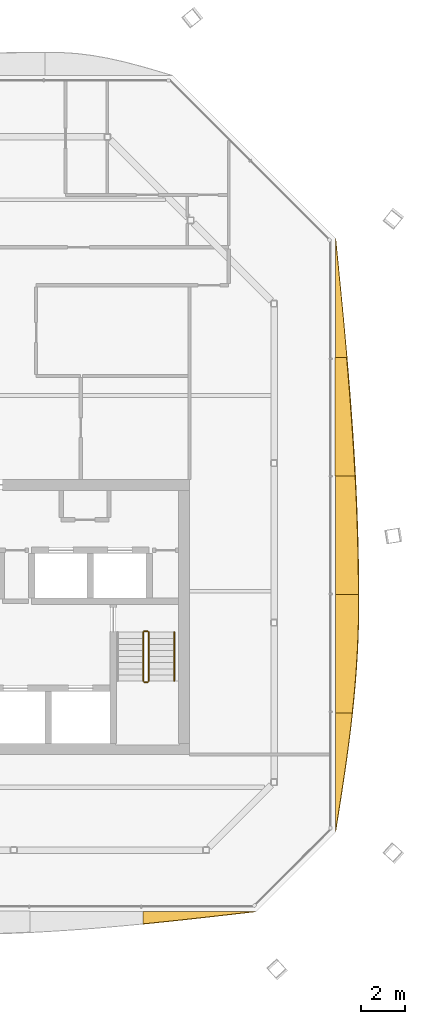
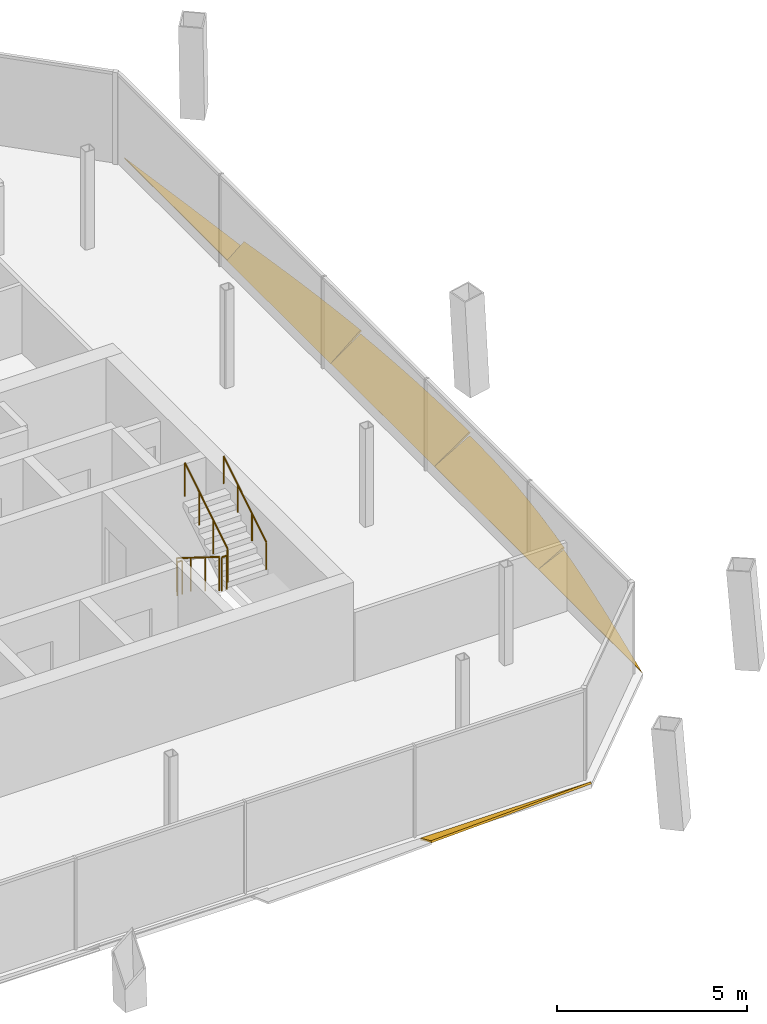
# One storey, part 17 of 18: 6 shading devices, 5 railings.
"""IFC4 building model written with IfcOpenShell, lengths in metres."""

from ifc_helpers import new_model, si_unit, direction, frame, origin, origin_2d, place, context, subcontext, project, spatial, polyline, circle, outline, extrude, material, layer, layer_set, type_object, element, save


model = new_model("IFC4")

# Units and contexts
model_context = context("Model", 3, precision=1e-05, world=origin(), true_north=direction((0.0, 1.0)))
body_context = subcontext(model_context, "Body", "Model", "MODEL_VIEW")
ifc_project = project(units=[si_unit("LENGTHUNIT", "METRE"), si_unit("AREAUNIT", "SQUARE_METRE"), si_unit("VOLUMEUNIT", "CUBIC_METRE"), si_unit("PLANEANGLEUNIT", "RADIAN"), si_unit("MASSUNIT", "GRAM", prefix="KILO")], contexts=[model_context])

# Site, building, storey
site_placement = place(None, origin())
site = spatial("IfcSite", under=ifc_project, at=site_placement, CompositionType="ELEMENT")
building_placement = place(site_placement, origin())
building = spatial("IfcBuilding", under=site, at=building_placement, Name="Tskaro Facet Tower", CompositionType="ELEMENT")
storey_placement = place(building_placement, frame((0.0, 0.0, 220.35009765625)))
storey = spatial("IfcBuildingStorey", under=building, at=storey_placement, Name="L56", CompositionType="ELEMENT", Elevation=220.35009765625)

# Shading devices
ifc_material_1 = material(Name="Bronze anodised aluminium 6063-T6", Category="aluminium")
ifc_layer = layer(ifc_material_1, 0.06005859375, Name="Bronze anodised aluminium 6063-T6")
ifc_layer_set = layer_set([ifc_layer], Name="Bronze anodised aluminium 6063-T6")
shading_device_type = type_object("IfcShadingDeviceType", Name="Bronze sun blade (FN1)", PredefinedType="USERDEFINED", material=ifc_layer_set)
shading_device_1_placement = place(storey_placement, frame((7.359375, -19.209716796875, 0.05419921875), z_axis=(-3.3848998e-05, 0.422900266956, 0.906176231791), x_axis=(0.999999999427, 1.431475e-05, 3.0673157e-05)))
element("IfcShadingDevice", 1, at=shading_device_1_placement, inside=storey, type_object=shading_device_type, Name="Fin blade south 6", ObjectType="FIN", PredefinedType="USERDEFINED", context=body_context, shape_type="SweptSolid", body=[
    extrude(outline(polyline([(0.0, 0.0), (5.179687497032675, 0.0), (4.439697264527026, -0.09458581576204654), (3.699707031522437, -0.188625915525114), (2.9597168010147814, -0.28135334885850694), (2.2197265615217425, -0.3723403870594162), (1.4799804641526177, -0.46092332683269277), (0.7399902306535584, -0.5463352177476412), (-5.839139071006565e-09, -0.628472812668715), (0.0, 0.0)])), origin(), (0.0, 0.0, -1.0), 0.06005859375),
])
shading_device_2_placement = place(storey_placement, frame((16.209716796875, -15.5390625, 0.05419921875), z_axis=(-0.422802315771, 3.6622445e-05, 0.906221937738), x_axis=(1.5484054e-05, 0.999999999329, -3.3188063e-05)))
element("IfcShadingDevice", 2, at=shading_device_2_placement, inside=storey, type_object=shading_device_type, Name="Fin blade east 1", ObjectType="FIN", PredefinedType="USERDEFINED", context=body_context, shape_type="SweptSolid", body=[
    extrude(outline(polyline([(0.0, 0.0), (5.450439449469926, 9.233403587623171e-21), (5.450439456861471, -0.8544581576848179), (4.769042966751982, -0.7680580631288914), (4.087890621074775, -0.6737967213471868), (3.406494141818486, -0.5724410923326465), (2.725341792943714, -0.46528905133370796), (2.0439453083219346, -0.353225580712037), (1.3625488274940216, -0.2373421092726853), (0.6813964813563143, -0.11937900344492315), (0.0, 0.0)])), origin(), (0.0, 0.0, -1.0), 0.06005859375),
])
shading_device_3_placement = place(storey_placement, frame((16.205078125, -10.088623046875, 0.0517578125), z_axis=(-0.500123437411, 2.926425e-06, 0.865954125427), x_axis=(1.463574e-06, 0.999999999996, -2.53415e-06)))
element("IfcShadingDevice", 3, at=shading_device_3_placement, inside=storey, type_object=shading_device_type, Name="Fin blade east 2", ObjectType="FIN", PredefinedType="USERDEFINED", context=body_context, shape_type="SweptSolid", body=[
    extrude(outline(polyline([(0.0, 0.0), (5.450439453101661, -1.1541754484528964e-21), (5.450439453148601, -1.2292165044636654), (5.0688476567285, -1.2299728486564643), (4.769042968680572, -1.2286715748522705), (4.0878906247746745, -1.2168617516672129), (3.4064941408690785, -1.1922415602071246), (2.725341796715031, -1.155388716399171), (2.04394531239586, -1.1066039489575725), (1.3625488282751934, -1.0462207729123207), (0.6813964841939157, -0.9752397333533886), (-2.6016544200386106e-11, -0.894295074024988), (0.0, 0.0)])), origin(), (0.0, 0.0, -1.0), 0.06005859375),
])
shading_device_4_placement = place(storey_placement, frame((16.20068359375, -4.63818359375, 0.049072265625), z_axis=(-0.573607870068, 5.230734e-06, 0.819130033248), x_axis=(3.00039e-06, 0.999999999986, -4.284652e-06)))
element("IfcShadingDevice", 4, at=shading_device_4_placement, inside=storey, type_object=shading_device_type, Name="Fin blade east 3", ObjectType="FIN", PredefinedType="USERDEFINED", context=body_context, shape_type="SweptSolid", body=[
    extrude(outline(polyline([(0.0, 0.0), (5.4504394530504365, 0.0), (5.450439453558937, -1.110163256603503), (4.769042968813052, -1.1513448747644188), (4.087890624792061, -1.1874462915077777), (3.4064941406649467, -1.2190075136540368), (2.725097655905215, -1.2452885514644623), (2.0439453126028946, -1.2666893707756066), (1.3625488280429585, -1.2828100057509175), (0.6813964842079172, -1.2938504393086712), (1.6131756660763775e-10, -1.299470647546686), (0.0, 0.0)])), origin(), (0.0, 0.0, -1.0), 0.06005859375),
])
shading_device_5_placement = place(storey_placement, frame((16.196533203125, 0.812255859375, 0.0458984375), z_axis=(-0.642804758174, 9.697517e-06, 0.766030053441), x_axis=(6.23361e-06, 0.999999999953, -7.42859e-06)))
element("IfcShadingDevice", 5, at=shading_device_5_placement, inside=storey, type_object=shading_device_type, Name="Fin blade east 4", ObjectType="FIN", PredefinedType="USERDEFINED", context=body_context, shape_type="SweptSolid", body=[
    extrude(outline(polyline([(0.0, 0.0), (5.450439452868715, -4.616701793811586e-21), (5.450439453591075, -0.6806997853830294), (4.769042968439113, -0.7569412256125356), (4.087646484390959, -0.8299000624830066), (3.4064941405497264, -0.8993892769384177), (2.7250976556654374, -0.9654088689787688), (2.043945313093433, -1.0274579500371936), (1.3625488285399807, -1.0851624820016426), (0.6811523426300692, -1.1385224648721157), (-3.8407201103075964e-10, -1.1872240291377714), (0.0, 0.0)])), origin(), (0.0, 0.0, -1.0), 0.06005859375),
])
shading_device_6_placement = place(storey_placement, frame((16.214599609375, 6.2626953125, 0.056396484375), z_axis=(-0.341738731229, 1.2479892e-05, 0.939794998615), x_axis=(4.264862e-06, 0.999999999922, -1.172854e-05)))
element("IfcShadingDevice", 6, at=shading_device_6_placement, inside=storey, type_object=shading_device_type, Name="Fin blade east 5", ObjectType="FIN", PredefinedType="USERDEFINED", context=body_context, shape_type="SweptSolid", body=[
    extrude(outline(polyline([(0.0, 0.0), (5.450195312075572, 0.0), (4.769042968634772, -0.07221157751274489), (4.0876464845689915, -0.14442315502548977), (3.406494141909152, -0.21609241595409584), (2.7250976573228396, -0.28676047602185983), (2.0437011703938097, -0.35619789309043004), (1.3625488274738695, -0.4242378025449355), (0.681152342367191, -0.49050475241610836), (-8.128505141480268e-10, -0.5549153103965132), (0.0, 0.0)])), origin(), (0.0, 0.0, -1.0), 0.06005859375),
])

# Railings
ifc_material_2 = material(Name="Stainless steel", Category="steel")
railing_type_1 = type_object("IfcRailingType", Name="RL-GUARD-1100", PredefinedType="GUARDRAIL", material=ifc_material_2)
railing_1_placement = place(storey_placement, frame((7.375, -6.375, 0.1748046875)))
element("IfcRailing", 7, at=railing_1_placement, inside=storey, type_object=railing_type_1, Name="L56 ST-2 stair guard 1", PredefinedType="GUARDRAIL", context=body_context, shape_type="SweptSolid", body=[
    extrude(circle(Radius=0.02392578125, at=origin_2d()), frame((0.0, 0.0, 1.076171875), z_axis=(0.0, -0.847972341737, 0.530040477369), x_axis=(1.0, 0.0, 0.0)), (0.0, 0.0, 1.0), 2.6416015625),
    extrude(circle(Radius=0.02099609375, at=origin_2d()), origin(), (0.0, 0.0, 1.0), 1.052001953125),
    extrude(circle(Radius=0.02099609375, at=origin_2d()), frame((0.0, -0.74658203125, 0.466796875)), (0.0, 0.0, 1.0), 1.052001953125),
    extrude(circle(Radius=0.02099609375, at=origin_2d()), frame((0.0, -1.493408203125, 0.933349609375)), (0.0, 0.0, 1.0), 1.052001953125),
    extrude(circle(Radius=0.02099609375, at=origin_2d()), frame((0.0, -2.239990234375, 1.400146484375)), (0.0, 0.0, 1.0), 1.052001953125),
])
railing_2_placement = place(storey_placement, frame((7.425048828125, -8.6650390625, 1.574951171875)))
element("IfcRailing", 8, at=railing_2_placement, inside=storey, type_object=railing_type_1, Name="L56 ST-2 stair guard 2", PredefinedType="GUARDRAIL", context=body_context, shape_type="SweptSolid", body=[
    extrude(circle(Radius=0.02392578125, at=origin_2d()), frame((0.0, 0.0, 1.076171875), z_axis=(1.0, 0.0, 0.0), x_axis=(0.0, 1.0, 0.0)), (0.0, 0.0, 1.0), 0.14990234375),
    extrude(circle(Radius=0.02099609375, at=origin_2d()), origin(), (0.0, 0.0, 1.0), 1.052001953125),
    extrude(circle(Radius=0.02099609375, at=origin_2d()), frame((0.14990234375, 0.0, 0.0)), (0.0, 0.0, 1.0), 1.052001953125),
])
railing_3_placement = place(storey_placement, frame((7.625, -8.614990234375, 1.75)))
element("IfcRailing", 9, at=railing_3_placement, inside=storey, type_object=railing_type_1, Name="L56 ST-2 stair guard 3", PredefinedType="GUARDRAIL", context=body_context, shape_type="SweptSolid", body=[
    extrude(circle(Radius=0.02392578125, at=origin_2d()), frame((0.0, 0.0, 1.076171875), z_axis=(0.0, 0.848013881152, 0.529974015752), x_axis=(-1.0, 0.0, 0.0)), (0.0, 0.0, 1.0), 2.641357421875),
    extrude(circle(Radius=0.02099609375, at=origin_2d()), origin(), (0.0, 0.0, 1.0), 1.052001953125),
    extrude(circle(Radius=0.02099609375, at=origin_2d()), frame((0.0, 0.74658203125, 0.466552734375)), (0.0, 0.0, 1.0), 1.052001953125),
    extrude(circle(Radius=0.02099609375, at=origin_2d()), frame((0.0, 1.493408203125, 0.933349609375)), (0.0, 0.0, 1.0), 1.052001953125),
    extrude(circle(Radius=0.02099609375, at=origin_2d()), frame((0.0, 2.239990234375, 1.39990234375)), (0.0, 0.0, 1.0), 1.052001953125),
])
railing_4_placement = place(storey_placement, frame((7.425048828125, -6.324951171875, 0.0)))
element("IfcRailing", 10, at=railing_4_placement, inside=storey, type_object=railing_type_1, Name="L56 ST-2 stair guard 4", PredefinedType="GUARDRAIL", context=body_context, shape_type="SweptSolid", body=[
    extrude(circle(Radius=0.02392578125, at=origin_2d()), frame((0.0, 0.0, 1.076171875), z_axis=(1.0, 0.0, 0.0), x_axis=(0.0, 1.0, 0.0)), (0.0, 0.0, 1.0), 0.14990234375),
    extrude(circle(Radius=0.02099609375, at=origin_2d()), origin(), (0.0, 0.0, 1.0), 1.052001953125),
    extrude(circle(Radius=0.02099609375, at=origin_2d()), frame((0.14990234375, 0.0, 0.0)), (0.0, 0.0, 1.0), 1.052001953125),
])
railing_type_2 = type_object("IfcRailingType", Name="RL-HANDRAIL-900", PredefinedType="HANDRAIL", material=ifc_material_2)
railing_5_placement = place(storey_placement, frame((8.800048828125, -8.614990234375, 1.75)))
element("IfcRailing", 11, at=railing_5_placement, inside=storey, type_object=railing_type_2, Name="L56 ST-2 stair handrail 2", PredefinedType="HANDRAIL", context=body_context, shape_type="SweptSolid", body=[
    extrude(circle(Radius=0.02392578125, at=origin_2d()), frame((0.0, 0.0, 0.8759765625), z_axis=(0.0, 0.848013881152, 0.529974015752), x_axis=(-1.0, 0.0, 0.0)), (0.0, 0.0, 1.0), 2.641357421875),
    extrude(circle(Radius=0.02099609375, at=origin_2d()), origin(), (0.0, 0.0, 1.0), 0.851806640625),
    extrude(circle(Radius=0.02099609375, at=origin_2d()), frame((0.0, 0.74658203125, 0.466552734375)), (0.0, 0.0, 1.0), 0.851806640625),
    extrude(circle(Radius=0.02099609375, at=origin_2d()), frame((0.0, 1.493408203125, 0.933349609375)), (0.0, 0.0, 1.0), 0.851806640625),
    extrude(circle(Radius=0.02099609375, at=origin_2d()), frame((0.0, 2.239990234375, 1.39990234375)), (0.0, 0.0, 1.0), 0.851806640625),
])

save(model, "model.ifc")
